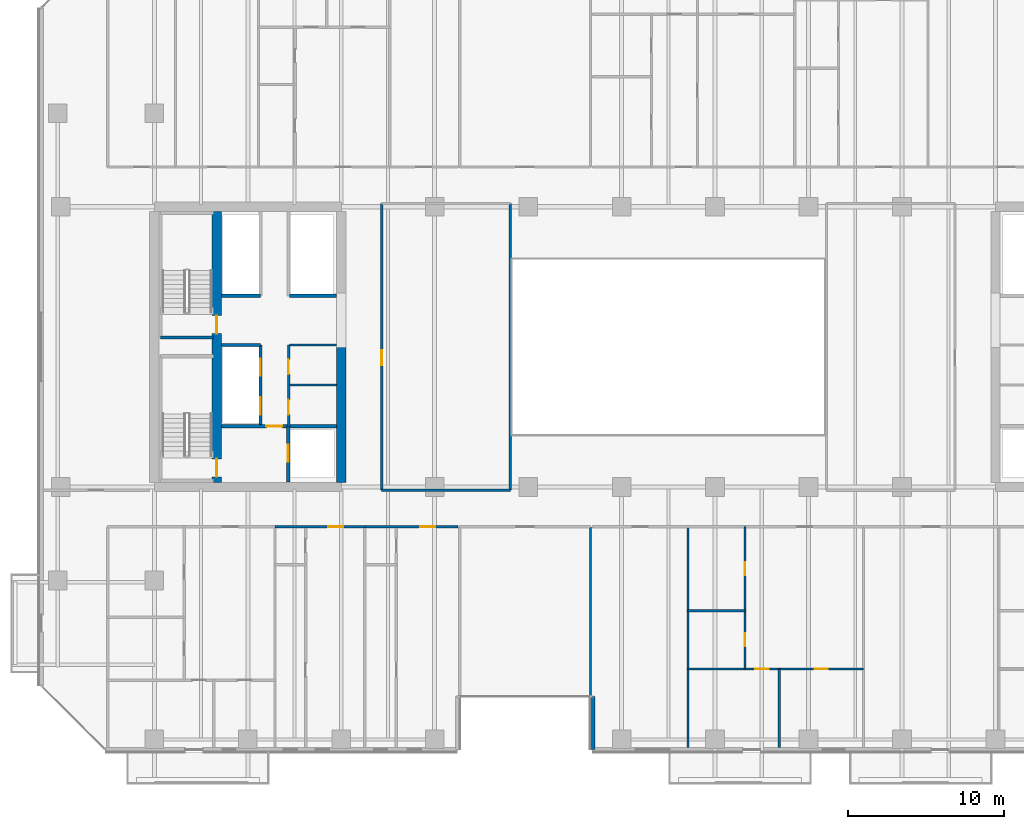
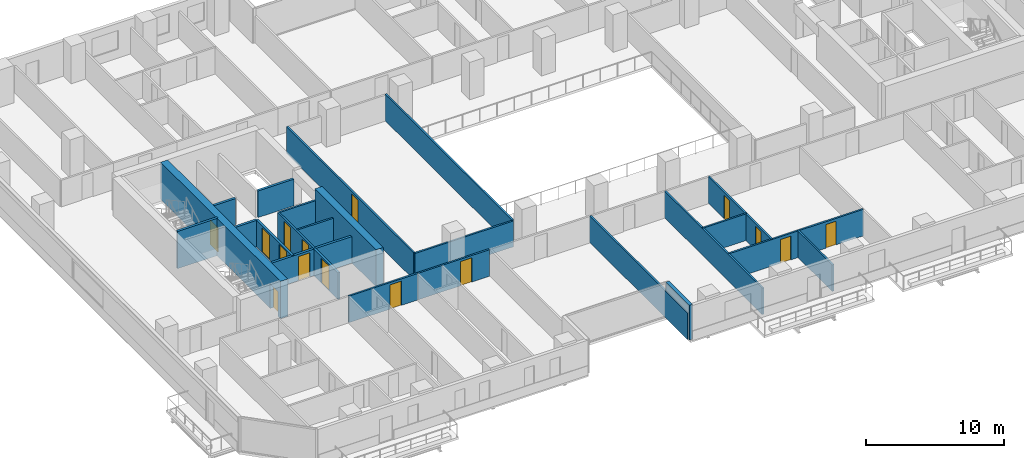
# One storey, part 18 of 33: 24 walls, 15 doors, 15 openings.
"""IFC4 building model written with IfcOpenShell, lengths in metres."""

from ifc_helpers import new_model, si_unit, direction, frame, frame_2d, origin, place, context, subcontext, project, spatial, rectangle, extrude, material, layer, layer_set, type_object, element, fill, save


model = new_model("IFC4")

# Units and contexts
model_context = context("Model", 3, precision=1e-05, world=origin(), true_north=direction((0.0, 1.0)))
body_context = subcontext(model_context, "Body", "Model", "MODEL_VIEW")
ifc_project = project(units=[si_unit("LENGTHUNIT", "METRE"), si_unit("AREAUNIT", "SQUARE_METRE"), si_unit("VOLUMEUNIT", "CUBIC_METRE"), si_unit("PLANEANGLEUNIT", "RADIAN"), si_unit("MASSUNIT", "GRAM", prefix="KILO")], contexts=[model_context])

# Site, building, storey
site_placement = place(None, origin())
site = spatial("IfcSite", under=ifc_project, at=site_placement, CompositionType="ELEMENT")
building_placement = place(site_placement, origin())
building = spatial("IfcBuilding", under=site, at=building_placement, Name="Tanjung Sevakor Pilgrim Tower", CompositionType="ELEMENT")
storey_placement = place(building_placement, frame((0.0, 0.0, 38.93994140625)))
storey = spatial("IfcBuildingStorey", under=building, at=storey_placement, Name="L10", CompositionType="ELEMENT", Elevation=38.93994140625)

# Wall
ifc_material_1 = material(Name="Concrete C60/75", Category="concrete")
ifc_layer_1 = layer(ifc_material_1, 0.60009765625)
ifc_layer_set_1 = layer_set([ifc_layer_1], Name="WALL-CW-600")
wall_type_1 = type_object("IfcWallType", Name="WALL-CW-600", PredefinedType="SHEAR", material=ifc_layer_set_1)
wall_1_placement = place(storey_placement, frame((36.0, 24.89990234375, 0.0), z_axis=(0.0, 0.0, 1.0), x_axis=(0.0, 1.0, 0.0)))
element("IfcWall", 1, at=wall_1_placement, inside=storey, type_object=wall_type_1, Name="L10 W Core Inner Shear Wall South", PredefinedType="SHEAR", context=body_context, shape_type="SweptSolid", body=[
    extrude(rectangle(XDim=8.900146484375, YDim=0.60009765625, at=frame_2d((4.4501953125, 0.0))), origin(), (0.0, 0.0, 1.0), 3.300048828125),
])

# Wall, openings, doors
wall_2_placement = place(storey_placement, frame((28.0, 24.89990234375, 0.0), z_axis=(0.0, 0.0, 1.0), x_axis=(0.0, 1.0, 0.0)))
wall_2 = element("IfcWall", 2, at=wall_2_placement, inside=storey, type_object=wall_type_1, Name="L10 W Core Stair Spine Wall", PredefinedType="SHEAR", context=body_context, shape_type="SweptSolid", body=[
    extrude(rectangle(XDim=17.400146484375, YDim=0.60009765625, at=frame_2d((8.7001953125, 0.0))), origin(), (0.0, 0.0, 1.0), 3.300048828125),
])
opening_1_placement = place(wall_2_placement, frame((0.35009765625, 0.0, 0.0)))
opening_1 = element("IfcOpeningElement", 3, at=opening_1_placement, cuts=wall_2, Name="Opening ID-ST1", PredefinedType="OPENING", context=body_context, shape_type="SweptSolid", body=[
    extrude(rectangle(XDim=1.14990234375, YDim=2.14990234375, at=frame_2d((0.574951171875, 1.074951171875))), frame((0.0, 0.31005859375, 0.0), z_axis=(0.0, -1.0, 0.0), x_axis=(1.0, 0.0, 0.0)), (0.0, 0.0, 1.0), 0.6201171875),
])
opening_2_placement = place(wall_2_placement, frame((9.550048828125, 0.0, 0.0)))
opening_2 = element("IfcOpeningElement", 4, at=opening_2_placement, cuts=wall_2, Name="Opening ID-ST1", PredefinedType="OPENING", context=body_context, shape_type="SweptSolid", body=[
    extrude(rectangle(XDim=1.14990234375, YDim=2.14990234375, at=frame_2d((0.574951171875, 1.074951171875))), frame((0.0, 0.31005859375, 0.0), z_axis=(0.0, -1.0, 0.0), x_axis=(1.0, 0.0, 0.0)), (0.0, 0.0, 1.0), 0.6201171875),
])
ifc_material_2 = material(Name="Fire-Rated Steel S355J2", Category="steel")
door_type_1 = type_object("IfcDoorType", Name="DT-FIRE-1150", OperationType="NOTDEFINED", PredefinedType="DOOR", material=ifc_material_2)
door_1_placement = place(opening_1_placement, origin())
door_1 = element("IfcDoor", 5, at=door_1_placement, inside=storey, type_object=door_type_1, Name="L10 TS-W1 Stair Fire Door", OperationType="SINGLE_SWING_RIGHT", OverallHeight=2.14990234375, OverallWidth=1.14990234375, PredefinedType="DOOR", context=body_context, shape_type="SweptSolid", body=[
    extrude(rectangle(XDim=1.14990234375, YDim=2.14990234375, at=frame_2d((0.574951171875, 1.074951171875))), frame((0.0, 0.02490234375, 0.0), z_axis=(0.0, -1.0, 0.0), x_axis=(1.0, 0.0, 0.0)), (0.0, 0.0, 1.0), 0.050048828125),
])
fill(opening_1, door_1)
door_2_placement = place(opening_2_placement, origin())
door_2 = element("IfcDoor", 6, at=door_2_placement, inside=storey, type_object=door_type_1, Name="L10 TS-W2 Stair Fire Door", OperationType="SINGLE_SWING_LEFT", OverallHeight=2.14990234375, OverallWidth=1.14990234375, PredefinedType="DOOR", context=body_context, shape_type="SweptSolid", body=[
    extrude(rectangle(XDim=1.14990234375, YDim=2.14990234375, at=frame_2d((0.574951171875, 1.074951171875))), frame((0.0, 0.02490234375, 0.0), z_axis=(0.0, -1.0, 0.0), x_axis=(1.0, 0.0, 0.0)), (0.0, 0.0, 1.0), 0.050048828125),
])
fill(opening_2, door_2)

# Walls
ifc_material_3 = material(Name="Concrete C40/50", Category="concrete")
ifc_layer_2 = layer(ifc_material_3, 0.14990234375)
ifc_layer_set_2 = layer_set([ifc_layer_2], Name="WT-COMP-150")
wall_type_2 = type_object("IfcWallType", Name="WT-COMP-150", PredefinedType="SOLIDWALL", material=ifc_layer_set_2)
for number, where, z_axis, x_axis, name in (
    (7, (32.679931640625, 31.14990234375, 0.0), (0.0, 0.0, 1.0), (1.0, 0.0, 0.0), "L10 Partition IW-L10-005"),
    (8, (32.679931640625, 33.719970703125, 0.0), (0.0, 0.0, 1.0), (1.0, 0.0, 0.0), "L10 Partition IW-L10-006"),
):
    element("IfcWall", number, at=place(storey_placement, frame(where, z_axis=z_axis, x_axis=x_axis)), inside=storey, type_object=wall_type_2, Name=name, PredefinedType="SOLIDWALL", context=body_context, shape_type="SweptSolid", body=[
        extrude(rectangle(XDim=3.0, YDim=0.14990234375, at=frame_2d((1.5, 0.0))), origin(), (0.0, 0.0, 1.0), 2.35009765625),
    ])

# Wall, openings, doors
wall_3_placement = place(storey_placement, frame((32.6201171875, 28.5, 0.0), z_axis=(0.0, 0.0, 1.0), x_axis=(0.0, 1.0, 0.0)))
wall_3 = element("IfcWall", 9, at=wall_3_placement, inside=storey, type_object=wall_type_2, Name="L10 Partition IW-L10-007", PredefinedType="SOLIDWALL", context=body_context, shape_type="SweptSolid", body=[
    extrude(rectangle(XDim=5.219970703125, YDim=0.14990234375, at=frame_2d((2.60986328125, 0.0))), origin(), (0.0, 0.0, 1.0), 2.35009765625),
])
opening_3_placement = place(wall_3_placement, frame((0.75, 0.0, 0.0)))
opening_3 = element("IfcOpeningElement", 10, at=opening_3_placement, cuts=wall_3, Name="Opening ID-FD2", PredefinedType="OPENING", context=body_context, shape_type="SweptSolid", body=[
    extrude(rectangle(XDim=0.949951171875, YDim=2.14990234375, at=frame_2d((0.47509765625, 1.074951171875))), frame((0.0, 0.0849609375, 0.0), z_axis=(0.0, -1.0, 0.0), x_axis=(1.0, 0.0, 0.0)), (0.0, 0.0, 1.0), 0.169921875),
])
opening_4_placement = place(wall_3_placement, frame((3.35009765625, 0.0, 0.0)))
opening_4 = element("IfcOpeningElement", 11, at=opening_4_placement, cuts=wall_3, Name="Opening ID-FD2", PredefinedType="OPENING", context=body_context, shape_type="SweptSolid", body=[
    extrude(rectangle(XDim=0.949951171875, YDim=2.14990234375, at=frame_2d((0.47509765625, 1.074951171875))), frame((0.0, 0.0849609375, 0.0), z_axis=(0.0, -1.0, 0.0), x_axis=(1.0, 0.0, 0.0)), (0.0, 0.0, 1.0), 0.169921875),
])
ifc_material_4 = material(Name="Fire-Rated Timber", Category="wood")
door_type_2 = type_object("IfcDoorType", Name="DT-FIRE-950", OperationType="NOTDEFINED", PredefinedType="DOOR", material=ifc_material_4)
door_3_placement = place(opening_3_placement, origin())
door_3 = element("IfcDoor", 12, at=door_3_placement, inside=storey, type_object=door_type_2, Name="L10 Accessible WC Door", OperationType="SINGLE_SWING_LEFT", OverallHeight=2.14990234375, OverallWidth=0.949951171875, PredefinedType="DOOR", context=body_context, shape_type="SweptSolid", body=[
    extrude(rectangle(XDim=0.949951171875, YDim=2.14990234375, at=frame_2d((0.47509765625, 1.074951171875))), frame((0.0, 0.02490234375, 0.0), z_axis=(0.0, -1.0, 0.0), x_axis=(1.0, 0.0, 0.0)), (0.0, 0.0, 1.0), 0.050048828125),
])
fill(opening_3, door_3)
door_4_placement = place(opening_4_placement, origin())
door_4 = element("IfcDoor", 13, at=door_4_placement, inside=storey, type_object=door_type_2, Name="L10 Core Service Door", OperationType="SINGLE_SWING_RIGHT", OverallHeight=2.14990234375, OverallWidth=0.949951171875, PredefinedType="DOOR", context=body_context, shape_type="SweptSolid", body=[
    extrude(rectangle(XDim=0.949951171875, YDim=2.14990234375, at=frame_2d((0.47509765625, 1.074951171875))), frame((0.0, 0.02490234375, 0.0), z_axis=(0.0, -1.0, 0.0), x_axis=(1.0, 0.0, 0.0)), (0.0, 0.0, 1.0), 0.050048828125),
])
fill(opening_4, door_4)

# Wall
wall_4_placement = place(storey_placement, frame((38.60009765625, 24.39990234375, 0.0), z_axis=(0.0, 0.0, 1.0), x_axis=(1.0, 0.0, 0.0)))
element("IfcWall", 14, at=wall_4_placement, inside=storey, type_object=wall_type_2, Name="L10 Partition IW-L10-023", PredefinedType="SOLIDWALL", context=body_context, shape_type="SweptSolid", body=[
    extrude(rectangle(XDim=8.25, YDim=0.14990234375, at=frame_2d((4.125, 0.0))), origin(), (0.0, 0.0, 1.0), 2.295166015625),
])

# Wall, opening, door
wall_5_placement = place(storey_placement, frame((38.60009765625, 24.39990234375, 0.0), z_axis=(0.0, 0.0, 1.0), x_axis=(0.0, 1.0, 0.0)))
wall_5 = element("IfcWall", 15, at=wall_5_placement, inside=storey, type_object=wall_type_2, Name="L10 Partition IW-L10-025", PredefinedType="SOLIDWALL", context=body_context, shape_type="SweptSolid", body=[
    extrude(rectangle(XDim=18.400146484375, YDim=0.14990234375, at=frame_2d((9.2001953125, 0.0))), origin(), (0.0, 0.0, 1.0), 2.35009765625),
])
opening_5_placement = place(wall_5_placement, frame((8.02490234375, 0.0, 0.0)))
opening_5 = element("IfcOpeningElement", 16, at=opening_5_placement, cuts=wall_5, Name="Opening ID-RM1", PredefinedType="OPENING", context=body_context, shape_type="SweptSolid", body=[
    extrude(rectangle(XDim=0.949951171875, YDim=2.14990234375, at=frame_2d((0.47509765625, 1.074951171875))), frame((0.0, 0.0849609375, 0.0), z_axis=(0.0, -1.0, 0.0), x_axis=(1.0, 0.0, 0.0)), (0.0, 0.0, 1.0), 0.169921875),
])
ifc_material_5 = material(Name="Hardwood Timber", Category="wood")
door_type_3 = type_object("IfcDoorType", Name="DT-INT-950", OperationType="NOTDEFINED", PredefinedType="DOOR", material=ifc_material_5)
door_5_placement = place(opening_5_placement, origin())
door_5 = element("IfcDoor", 17, at=door_5_placement, inside=storey, type_object=door_type_3, Name="L10 Central West Room Door", OperationType="SINGLE_SWING_LEFT", OverallHeight=2.14990234375, OverallWidth=0.949951171875, PredefinedType="DOOR", context=body_context, shape_type="SweptSolid", body=[
    extrude(rectangle(XDim=0.949951171875, YDim=2.14990234375, at=frame_2d((0.47509765625, 1.074951171875))), frame((0.0, 0.02490234375, 0.0), z_axis=(0.0, -1.0, 0.0), x_axis=(1.0, 0.0, 0.0)), (0.0, 0.0, 1.0), 0.050048828125),
])
fill(opening_5, door_5)

# Walls
wall_6_placement = place(storey_placement, frame((46.85009765625, 24.39990234375, 0.0), z_axis=(0.0, 0.0, 1.0), x_axis=(0.0, 1.0, 0.0)))
element("IfcWall", 18, at=wall_6_placement, inside=storey, type_object=wall_type_2, Name="L10 Partition IW-L10-026", PredefinedType="SOLIDWALL", context=body_context, shape_type="SweptSolid", body=[
    extrude(rectangle(XDim=18.400146484375, YDim=0.14990234375, at=frame_2d((9.2001953125, 0.0))), origin(), (0.0, 0.0, 1.0), 2.35009765625),
])
wall_7_placement = place(storey_placement, frame((52.0, 7.8798828125, 0.0), z_axis=(0.0, 0.0, 1.0), x_axis=(0.0, 1.0, 0.0)))
element("IfcWall", 19, at=wall_7_placement, inside=storey, type_object=wall_type_2, Name="L10 Partition IW-L10-040", PredefinedType="SOLIDWALL", context=body_context, shape_type="SweptSolid", body=[
    extrude(rectangle(XDim=14.170166015625, YDim=0.14990234375, at=frame_2d((7.0849609375, 0.0))), origin(), (0.0, 0.0, 1.0), 2.35009765625),
])

# Wall, opening, door
wall_8_placement = place(storey_placement, frame((31.751220703125, 22.050048828125, 0.0), z_axis=(0.0, 0.0, 1.0), x_axis=(1.0, 0.0, 0.0)))
wall_8 = element("IfcWall", 20, at=wall_8_placement, inside=storey, type_object=wall_type_2, Name="L10 Partition IW-L10-054", PredefinedType="SOLIDWALL", context=body_context, shape_type="SweptSolid", body=[
    extrude(rectangle(XDim=5.761474609375, YDim=0.14990234375, at=frame_2d((2.880859375, 0.0))), origin(), (0.0, 0.0, 1.0), 2.35009765625),
])
opening_6_placement = place(wall_8_placement, frame((3.42529296875, 0.0, 0.0)))
opening_6 = element("IfcOpeningElement", 21, at=opening_6_placement, cuts=wall_8, Name="Opening ID-FD2", PredefinedType="OPENING", context=body_context, shape_type="SweptSolid", body=[
    extrude(rectangle(XDim=0.949951171875, YDim=2.14990234375, at=frame_2d((0.47509765625, 1.074951171875))), frame((0.0, 0.0849609375, 0.0), z_axis=(0.0, -1.0, 0.0), x_axis=(1.0, 0.0, 0.0)), (0.0, 0.0, 1.0), 0.169921875),
])
door_6_placement = place(opening_6_placement, origin())
door_6 = element("IfcDoor", 22, at=door_6_placement, inside=storey, type_object=door_type_2, Name="Hotel Guestroom Entrance", OperationType="SINGLE_SWING_LEFT", OverallHeight=2.14990234375, OverallWidth=0.949951171875, PredefinedType="DOOR", context=body_context, shape_type="SweptSolid", body=[
    extrude(rectangle(XDim=0.949951171875, YDim=2.14990234375, at=frame_2d((0.47509765625, 1.074951171875))), frame((0.0, 0.02490234375, 0.0), z_axis=(0.0, -1.0, 0.0), x_axis=(1.0, 0.0, 0.0)), (0.0, 0.0, 1.0), 0.050048828125),
])
fill(opening_6, door_6)

wall_9_placement = place(storey_placement, frame((37.5126953125, 22.050048828125, 0.0), z_axis=(0.0, 0.0, 1.0), x_axis=(1.0, 0.0, 0.0)))
wall_9 = element("IfcWall", 23, at=wall_9_placement, inside=storey, type_object=wall_type_2, Name="L10 Partition IW-L10-057", PredefinedType="SOLIDWALL", context=body_context, shape_type="SweptSolid", body=[
    extrude(rectangle(XDim=5.96728515625, YDim=0.14990234375, at=frame_2d((2.983642578125, 0.0))), origin(), (0.0, 0.0, 1.0), 2.35009765625),
])
opening_7_placement = place(wall_9_placement, frame((3.56298828125, 0.0, 0.0)))
opening_7 = element("IfcOpeningElement", 24, at=opening_7_placement, cuts=wall_9, Name="Opening ID-FD2", PredefinedType="OPENING", context=body_context, shape_type="SweptSolid", body=[
    extrude(rectangle(XDim=0.949951171875, YDim=2.14990234375, at=frame_2d((0.47509765625, 1.074951171875))), frame((0.0, 0.0849609375, 0.0), z_axis=(0.0, -1.0, 0.0), x_axis=(1.0, 0.0, 0.0)), (0.0, 0.0, 1.0), 0.169921875),
])
door_7_placement = place(opening_7_placement, origin())
door_7 = element("IfcDoor", 25, at=door_7_placement, inside=storey, type_object=door_type_2, Name="Hostel Quad Entrance", OperationType="SINGLE_SWING_RIGHT", OverallHeight=2.14990234375, OverallWidth=0.949951171875, PredefinedType="DOOR", context=body_context, shape_type="SweptSolid", body=[
    extrude(rectangle(XDim=0.949951171875, YDim=2.14990234375, at=frame_2d((0.47509765625, 1.074951171875))), frame((0.0, 0.02490234375, 0.0), z_axis=(0.0, -1.0, 0.0), x_axis=(1.0, 0.0, 0.0)), (0.0, 0.0, 1.0), 0.050048828125),
])
fill(opening_7, door_7)

# Walls
wall_10_placement = place(storey_placement, frame((58.262939453125, 7.8798828125, 0.0), z_axis=(0.0, 0.0, 1.0), x_axis=(0.0, 1.0, 0.0)))
element("IfcWall", 26, at=wall_10_placement, inside=storey, type_object=wall_type_2, Name="L10 Partition IW-L10-059", PredefinedType="SOLIDWALL", context=body_context, shape_type="SweptSolid", body=[
    extrude(rectangle(XDim=14.170166015625, YDim=0.14990234375, at=frame_2d((7.0849609375, 0.0))), origin(), (0.0, 0.0, 1.0), 2.35009765625),
])
ifc_material_6 = material(Name="Precast concrete C45/55", Category="concrete")
ifc_layer_3 = layer(ifc_material_6, 0.280029296875)
ifc_layer_set_3 = layer_set([ifc_layer_3], Name="WT-EW-STN2")
wall_type_3 = type_object("IfcWallType", Name="WT-EW-STN2", PredefinedType="SOLIDWALL", material=ifc_layer_set_3)
wall_11_placement = place(storey_placement, frame((52.139892578125, 11.139892578125, 0.0), z_axis=(0.0, 0.0, 1.0), x_axis=(0.0, -1.0, 0.0)))
element("IfcWall", 27, at=wall_11_placement, inside=storey, type_object=wall_type_3, Name="L10 MAIN Exterior Wall 4", PredefinedType="SOLIDWALL", context=body_context, shape_type="SweptSolid", body=[
    extrude(rectangle(XDim=3.39990234375, YDim=0.280029296875, at=frame_2d((1.699951171875, 0.0))), origin(), (0.0, 0.0, 1.0), 3.080078125),
])
ifc_material_7 = material(Name="Concrete C40/50", Category="concrete")
ifc_layer_4 = layer(ifc_material_7, 0.199951171875)
ifc_layer_set_4 = layer_set([ifc_layer_4], Name="WT-FIRE-200")
wall_type_4 = type_object("IfcWallType", Name="WT-FIRE-200", PredefinedType="SOLIDWALL", material=ifc_layer_set_4)
wall_12_placement = place(storey_placement, frame((24.39990234375, 34.199951171875, 0.0), z_axis=(0.0, 0.0, 1.0), x_axis=(1.0, 0.0, 0.0)))
element("IfcWall", 28, at=wall_12_placement, inside=storey, type_object=wall_type_4, Name="L10 TS-W2 Shaft Wall 1", PredefinedType="SOLIDWALL", context=body_context, shape_type="SweptSolid", body=[
    extrude(rectangle(XDim=3.400146484375, YDim=0.199951171875, at=frame_2d((1.7001953125, 0.0))), origin(), (0.0, 0.0, 1.0), 3.300048828125),
])

# Wall, opening, door
ifc_material_8 = material(Name="Concrete C40/50", Category="concrete")
ifc_layer_5 = layer(ifc_material_8, 0.199951171875)
ifc_layer_set_5 = layer_set([ifc_layer_5], Name="WT-FPRT-200")
wall_type_5 = type_object("IfcWallType", Name="WT-FPRT-200", PredefinedType="SOLIDWALL", material=ifc_layer_set_5)
wall_13_placement = place(storey_placement, frame((32.60009765625, 24.919921875, 0.0), z_axis=(0.0, 0.0, 1.0), x_axis=(0.0, 1.0, 0.0)))
wall_13 = element("IfcWall", 29, at=wall_13_placement, inside=storey, type_object=wall_type_5, Name="L10 Partition IW-L10-001", PredefinedType="SOLIDWALL", context=body_context, shape_type="SweptSolid", body=[
    extrude(rectangle(XDim=3.580078125, YDim=0.199951171875, at=frame_2d((1.7900390625, 0.0))), origin(), (0.0, 0.0, 1.0), 2.35009765625),
])
opening_8_placement = place(wall_13_placement, frame((1.300048828125, 0.0, 0.0)))
opening_8 = element("IfcOpeningElement", 30, at=opening_8_placement, cuts=wall_13, Name="Opening LD-1100", PredefinedType="OPENING", context=body_context, shape_type="SweptSolid", body=[
    extrude(rectangle(XDim=1.10009765625, YDim=2.199951171875, at=frame_2d((0.550048828125, 1.10009765625))), frame((0.0, 0.10986328125, 0.0), z_axis=(0.0, -1.0, 0.0), x_axis=(1.0, 0.0, 0.0)), (0.0, 0.0, 1.0), 0.219970703125),
])
ifc_material_9 = material(Name="Brushed Stainless Steel S355J2", Category="steel")
door_type_4 = type_object("IfcDoorType", Name="DT-LIFT-1100", OperationType="SLIDING_TO_LEFT", PredefinedType="DOOR", material=ifc_material_9)
door_8_placement = place(opening_8_placement, origin())
door_8 = element("IfcDoor", 31, at=door_8_placement, inside=storey, type_object=door_type_4, Name="LD-FL-W", OperationType="SLIDING_TO_LEFT", OverallHeight=2.199951171875, OverallWidth=1.10009765625, PredefinedType="DOOR", context=body_context, shape_type="SweptSolid", body=[
    extrude(rectangle(XDim=1.10009765625, YDim=2.199951171875, at=frame_2d((0.550048828125, 1.10009765625))), frame((0.0, 0.02490234375, 0.0), z_axis=(0.0, -1.0, 0.0), x_axis=(1.0, 0.0, 0.0)), (0.0, 0.0, 1.0), 0.050048828125),
])
fill(opening_8, door_8)

wall_14_placement = place(storey_placement, frame((28.320068359375, 28.5, 0.0), z_axis=(0.0, 0.0, 1.0), x_axis=(1.0, 0.0, 0.0)))
wall_14 = element("IfcWall", 32, at=wall_14_placement, inside=storey, type_object=wall_type_5, Name="L10 Partition IW-L10-002", PredefinedType="SOLIDWALL", context=body_context, shape_type="SweptSolid", body=[
    extrude(rectangle(XDim=7.35986328125, YDim=0.199951171875, at=frame_2d((3.679931640625, 0.0))), origin(), (0.0, 0.0, 1.0), 2.35009765625),
])
opening_9_placement = place(wall_14_placement, frame((2.8798828125, 0.0, 0.0)))
opening_9 = element("IfcOpeningElement", 33, at=opening_9_placement, cuts=wall_14, Name="Opening ID-FD1", PredefinedType="OPENING", context=body_context, shape_type="SweptSolid", body=[
    extrude(rectangle(XDim=1.0, YDim=2.14990234375, at=frame_2d((0.5, 1.074951171875))), frame((0.0, 0.10986328125, 0.0), z_axis=(0.0, -1.0, 0.0), x_axis=(1.0, 0.0, 0.0)), (0.0, 0.0, 1.0), 0.219970703125),
])
ifc_material_10 = material(Name="Fire-Rated Steel S355J2", Category="steel")
door_type_5 = type_object("IfcDoorType", Name="DT-FIRE-1000", OperationType="NOTDEFINED", PredefinedType="DOOR", material=ifc_material_10)
door_9_placement = place(opening_9_placement, origin())
door_9 = element("IfcDoor", 34, at=door_9_placement, inside=storey, type_object=door_type_5, Name="Fire Lobby Door W", OperationType="SINGLE_SWING_RIGHT", OverallHeight=2.14990234375, OverallWidth=1.0, PredefinedType="DOOR", context=body_context, shape_type="SweptSolid", body=[
    extrude(rectangle(XDim=1.0, YDim=2.14990234375, at=frame_2d((0.5, 1.074951171875))), frame((0.0, 0.02490234375, 0.0), z_axis=(0.0, -1.0, 0.0), x_axis=(1.0, 0.0, 0.0)), (0.0, 0.0, 1.0), 0.050048828125),
])
fill(opening_9, door_9)

# Wall
wall_15_placement = place(storey_placement, frame((28.320068359375, 33.719970703125, 0.0), z_axis=(0.0, 0.0, 1.0), x_axis=(1.0, 0.0, 0.0)))
element("IfcWall", 35, at=wall_15_placement, inside=storey, type_object=wall_type_5, Name="L10 Partition IW-L10-003", PredefinedType="SOLIDWALL", context=body_context, shape_type="SweptSolid", body=[
    extrude(rectangle(XDim=2.47998046875, YDim=0.199951171875, at=frame_2d((1.239990234375, 0.0))), origin(), (0.0, 0.0, 1.0), 2.35009765625),
])

# Wall, openings, doors
wall_16_placement = place(storey_placement, frame((30.820068359375, 28.5, 0.0), z_axis=(0.0, 0.0, 1.0), x_axis=(0.0, 1.0, 0.0)))
wall_16 = element("IfcWall", 36, at=wall_16_placement, inside=storey, type_object=wall_type_5, Name="L10 Partition IW-L10-004", PredefinedType="SOLIDWALL", context=body_context, shape_type="SweptSolid", body=[
    extrude(rectangle(XDim=5.219970703125, YDim=0.199951171875, at=frame_2d((2.60986328125, 0.0))), origin(), (0.0, 0.0, 1.0), 2.35009765625),
])
opening_10_placement = place(wall_16_placement, frame((0.75, 0.0, 0.0)))
opening_10 = element("IfcOpeningElement", 37, at=opening_10_placement, cuts=wall_16, Name="Opening LD-1100", PredefinedType="OPENING", context=body_context, shape_type="SweptSolid", body=[
    extrude(rectangle(XDim=1.10009765625, YDim=2.199951171875, at=frame_2d((0.550048828125, 1.10009765625))), frame((0.0, 0.10986328125, 0.0), z_axis=(0.0, -1.0, 0.0), x_axis=(1.0, 0.0, 0.0)), (0.0, 0.0, 1.0), 0.219970703125),
])
opening_11_placement = place(wall_16_placement, frame((3.25, 0.0, 0.0)))
opening_11 = element("IfcOpeningElement", 38, at=opening_11_placement, cuts=wall_16, Name="Opening LD-1100", PredefinedType="OPENING", context=body_context, shape_type="SweptSolid", body=[
    extrude(rectangle(XDim=1.10009765625, YDim=2.199951171875, at=frame_2d((0.550048828125, 1.10009765625))), frame((0.0, 0.10986328125, 0.0), z_axis=(0.0, -1.0, 0.0), x_axis=(1.0, 0.0, 0.0)), (0.0, 0.0, 1.0), 0.219970703125),
])
door_10_placement = place(opening_10_placement, origin())
door_10 = element("IfcDoor", 39, at=door_10_placement, inside=storey, type_object=door_type_4, Name="LD-PLL1-W", OperationType="SLIDING_TO_LEFT", OverallHeight=2.199951171875, OverallWidth=1.10009765625, PredefinedType="DOOR", context=body_context, shape_type="SweptSolid", body=[
    extrude(rectangle(XDim=1.10009765625, YDim=2.199951171875, at=frame_2d((0.550048828125, 1.10009765625))), frame((0.0, 0.02490234375, 0.0), z_axis=(0.0, -1.0, 0.0), x_axis=(1.0, 0.0, 0.0)), (0.0, 0.0, 1.0), 0.050048828125),
])
fill(opening_10, door_10)
door_11_placement = place(opening_11_placement, origin())
door_11 = element("IfcDoor", 40, at=door_11_placement, inside=storey, type_object=door_type_4, Name="LD-PLL2-W", OperationType="SLIDING_TO_RIGHT", OverallHeight=2.199951171875, OverallWidth=1.10009765625, PredefinedType="DOOR", context=body_context, shape_type="SweptSolid", body=[
    extrude(rectangle(XDim=1.10009765625, YDim=2.199951171875, at=frame_2d((0.550048828125, 1.10009765625))), frame((0.0, 0.02490234375, 0.0), z_axis=(0.0, -1.0, 0.0), x_axis=(1.0, 0.0, 0.0)), (0.0, 0.0, 1.0), 0.050048828125),
])
fill(opening_11, door_11)

# Walls
wall_17_placement = place(storey_placement, frame((28.320068359375, 36.8798828125, 0.0), z_axis=(0.0, 0.0, 1.0), x_axis=(1.0, 0.0, 0.0)))
element("IfcWall", 41, at=wall_17_placement, inside=storey, type_object=wall_type_5, Name="L10 Partition IW-L10-008", PredefinedType="SOLIDWALL", context=body_context, shape_type="SweptSolid", body=[
    extrude(rectangle(XDim=2.47998046875, YDim=0.199951171875, at=frame_2d((1.239990234375, 0.0))), origin(), (0.0, 0.0, 1.0), 2.35009765625),
])
wall_18_placement = place(storey_placement, frame((32.679931640625, 36.8798828125, 0.0), z_axis=(0.0, 0.0, 1.0), x_axis=(1.0, 0.0, 0.0)))
element("IfcWall", 42, at=wall_18_placement, inside=storey, type_object=wall_type_5, Name="L10 Partition IW-L10-010", PredefinedType="SOLIDWALL", context=body_context, shape_type="SweptSolid", body=[
    extrude(rectangle(XDim=3.0, YDim=0.199951171875, at=frame_2d((1.5, 0.0))), origin(), (0.0, 0.0, 1.0), 2.35009765625),
])
ifc_material_11 = material(Name="Gypsum Board Partition", Category="gypsum board")
ifc_layer_6 = layer(ifc_material_11, 0.14990234375)
ifc_layer_set_6 = layer_set([ifc_layer_6], Name="WT-PART-150")
wall_type_6 = type_object("IfcWallType", Name="WT-PART-150", PredefinedType="PARTITIONING", material=ifc_layer_set_6)
wall_19_placement = place(storey_placement, frame((58.262939453125, 16.661865234375, 0.0), z_axis=(0.0, 0.0, 1.0), x_axis=(1.0, 0.0, 0.0)))
element("IfcWall", 43, at=wall_19_placement, inside=storey, type_object=wall_type_6, Name="L10 Partition IW-L10-062", PredefinedType="PARTITIONING", context=body_context, shape_type="SweptSolid", body=[
    extrude(rectangle(XDim=3.656982421875, YDim=0.14990234375, at=frame_2d((1.82861328125, 0.0))), origin(), (0.0, 0.0, 1.0), 2.35009765625),
])

# Wall, openings, doors
wall_20_placement = place(storey_placement, frame((61.919921875, 12.91748046875, 0.0), z_axis=(0.0, 0.0, 1.0), x_axis=(0.0, 1.0, 0.0)))
wall_20 = element("IfcWall", 44, at=wall_20_placement, inside=storey, type_object=wall_type_6, Name="L10 Partition IW-L10-063", PredefinedType="PARTITIONING", context=body_context, shape_type="SweptSolid", body=[
    extrude(rectangle(XDim=9.132568359375, YDim=0.14990234375, at=frame_2d((4.56640625, 0.0))), origin(), (0.0, 0.0, 1.0), 2.35009765625),
])
opening_12_placement = place(wall_20_placement, frame((1.447265625, 0.0, 0.0)))
opening_12 = element("IfcOpeningElement", 45, at=opening_12_placement, cuts=wall_20, Name="Opening ID-WC1", PredefinedType="OPENING", context=body_context, shape_type="SweptSolid", body=[
    extrude(rectangle(XDim=0.85009765625, YDim=2.10009765625, at=frame_2d((0.425048828125, 1.050048828125))), frame((0.0, 0.0849609375, 0.0), z_axis=(0.0, -1.0, 0.0), x_axis=(1.0, 0.0, 0.0)), (0.0, 0.0, 1.0), 0.169921875),
])
opening_13_placement = place(wall_20_placement, frame((6.013427734375, 0.0, 0.0)))
opening_13 = element("IfcOpeningElement", 46, at=opening_13_placement, cuts=wall_20, Name="Opening ID-WC1", PredefinedType="OPENING", context=body_context, shape_type="SweptSolid", body=[
    extrude(rectangle(XDim=0.85009765625, YDim=2.10009765625, at=frame_2d((0.425048828125, 1.050048828125))), frame((0.0, 0.0849609375, 0.0), z_axis=(0.0, -1.0, 0.0), x_axis=(1.0, 0.0, 0.0)), (0.0, 0.0, 1.0), 0.169921875),
])
ifc_material_12 = material(Name="Moisture-Resistant Timber", Category="wood")
door_type_6 = type_object("IfcDoorType", Name="DT-INT-850", OperationType="NOTDEFINED", PredefinedType="DOOR", material=ifc_material_12)
door_12_placement = place(opening_12_placement, origin())
door_12 = element("IfcDoor", 47, at=door_12_placement, inside=storey, type_object=door_type_6, Name="Suite Bathroom Door", OperationType="SINGLE_SWING_RIGHT", OverallHeight=2.10009765625, OverallWidth=0.85009765625, PredefinedType="DOOR", context=body_context, shape_type="SweptSolid", body=[
    extrude(rectangle(XDim=0.85009765625, YDim=2.10009765625, at=frame_2d((0.425048828125, 1.050048828125))), frame((0.0, 0.02490234375, 0.0), z_axis=(0.0, -1.0, 0.0), x_axis=(1.0, 0.0, 0.0)), (0.0, 0.0, 1.0), 0.050048828125),
])
fill(opening_12, door_12)
door_13_placement = place(opening_13_placement, origin())
door_13 = element("IfcDoor", 48, at=door_13_placement, inside=storey, type_object=door_type_6, Name="Suite Kitchenette Door", OperationType="SINGLE_SWING_LEFT", OverallHeight=2.10009765625, OverallWidth=0.85009765625, PredefinedType="DOOR", context=body_context, shape_type="SweptSolid", body=[
    extrude(rectangle(XDim=0.85009765625, YDim=2.10009765625, at=frame_2d((0.425048828125, 1.050048828125))), frame((0.0, 0.02490234375, 0.0), z_axis=(0.0, -1.0, 0.0), x_axis=(1.0, 0.0, 0.0)), (0.0, 0.0, 1.0), 0.050048828125),
])
fill(opening_13, door_13)

# Wall
wall_21_placement = place(storey_placement, frame((64.119140625, 7.8798828125, 0.0), z_axis=(0.0, 0.0, 1.0), x_axis=(0.0, 1.0, 0.0)))
element("IfcWall", 49, at=wall_21_placement, inside=storey, type_object=wall_type_6, Name="L10 Partition IW-L10-064", PredefinedType="PARTITIONING", context=body_context, shape_type="SweptSolid", body=[
    extrude(rectangle(XDim=5.03759765625, YDim=0.14990234375, at=frame_2d((2.518798828125, 0.0))), origin(), (0.0, 0.0, 1.0), 2.35009765625),
])

# Wall, openings, doors
wall_22_placement = place(storey_placement, frame((58.262939453125, 12.91748046875, 0.0), z_axis=(0.0, 0.0, 1.0), x_axis=(1.0, 0.0, 0.0)))
wall_22 = element("IfcWall", 50, at=wall_22_placement, inside=storey, type_object=wall_type_6, Name="L10 Partition IW-L10-065", PredefinedType="PARTITIONING", context=body_context, shape_type="SweptSolid", body=[
    extrude(rectangle(XDim=11.261962890625, YDim=0.14990234375, at=frame_2d((5.630859375, 0.0))), origin(), (0.0, 0.0, 1.0), 2.35009765625),
])
opening_14_placement = place(wall_22_placement, frame((4.331787109375, 0.0, 0.0)))
opening_14 = element("IfcOpeningElement", 51, at=opening_14_placement, cuts=wall_22, Name="Opening ID-WC1", PredefinedType="OPENING", context=body_context, shape_type="SweptSolid", body=[
    extrude(rectangle(XDim=0.85009765625, YDim=2.10009765625, at=frame_2d((0.425048828125, 1.050048828125))), frame((0.0, 0.0849609375, 0.0), z_axis=(0.0, -1.0, 0.0), x_axis=(1.0, 0.0, 0.0)), (0.0, 0.0, 1.0), 0.169921875),
])
opening_15_placement = place(wall_22_placement, frame((8.134033203125, 0.0, 0.0)))
opening_15 = element("IfcOpeningElement", 52, at=opening_15_placement, cuts=wall_22, Name="Opening ID-WC1", PredefinedType="OPENING", context=body_context, shape_type="SweptSolid", body=[
    extrude(rectangle(XDim=0.85009765625, YDim=2.10009765625, at=frame_2d((0.425048828125, 1.050048828125))), frame((0.0, 0.0849609375, 0.0), z_axis=(0.0, -1.0, 0.0), x_axis=(1.0, 0.0, 0.0)), (0.0, 0.0, 1.0), 0.169921875),
])
door_14_placement = place(opening_14_placement, origin())
door_14 = element("IfcDoor", 53, at=door_14_placement, inside=storey, type_object=door_type_6, Name="Suite Bedroom 1 Door", OperationType="SINGLE_SWING_RIGHT", OverallHeight=2.10009765625, OverallWidth=0.85009765625, PredefinedType="DOOR", context=body_context, shape_type="SweptSolid", body=[
    extrude(rectangle(XDim=0.85009765625, YDim=2.10009765625, at=frame_2d((0.425048828125, 1.050048828125))), frame((0.0, 0.02490234375, 0.0), z_axis=(0.0, -1.0, 0.0), x_axis=(1.0, 0.0, 0.0)), (0.0, 0.0, 1.0), 0.050048828125),
])
fill(opening_14, door_14)
door_15_placement = place(opening_15_placement, origin())
door_15 = element("IfcDoor", 54, at=door_15_placement, inside=storey, type_object=door_type_6, Name="Suite Bedroom 2 Door", OperationType="SINGLE_SWING_LEFT", OverallHeight=2.10009765625, OverallWidth=0.85009765625, PredefinedType="DOOR", context=body_context, shape_type="SweptSolid", body=[
    extrude(rectangle(XDim=0.85009765625, YDim=2.10009765625, at=frame_2d((0.425048828125, 1.050048828125))), frame((0.0, 0.02490234375, 0.0), z_axis=(0.0, -1.0, 0.0), x_axis=(1.0, 0.0, 0.0)), (0.0, 0.0, 1.0), 0.050048828125),
])
fill(opening_15, door_15)

save(model, "model.ifc")
